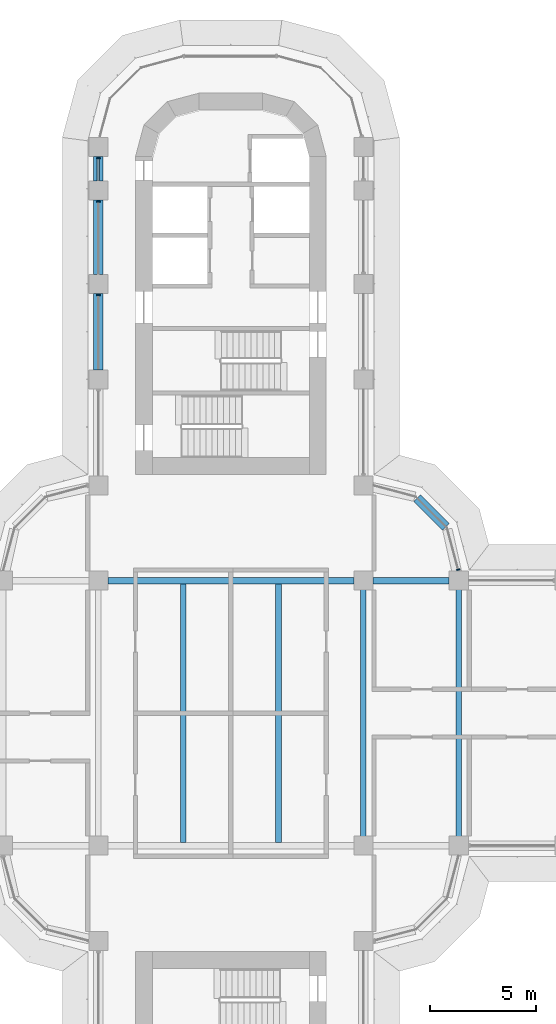
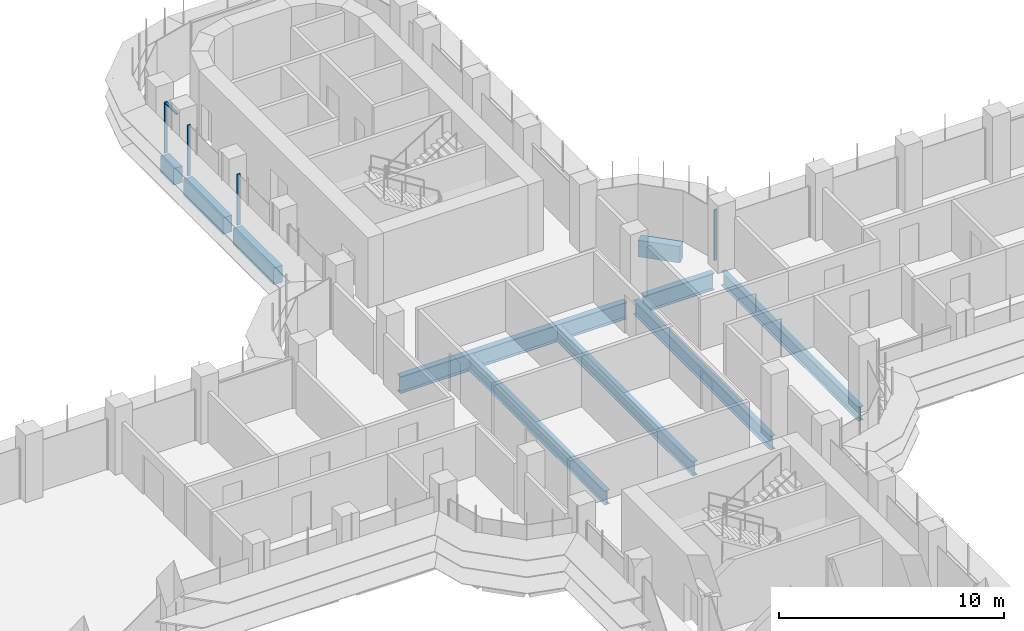
# One storey, part 7 of 22: 10 beams, 5 members, 2 elements without a shape of their own.
"""IFC4 building model written with IfcOpenShell, lengths in metres."""

from ifc_helpers import new_model, si_unit, direction, frame, origin, origin_2d, place, context, subcontext, project, spatial, polyline, rectangle, i_section, outline, extrude, source, transform, mapped, material, material_profile, profile_set, type_object, element, aggregate, save


model = new_model("IFC4")

# Units and contexts
model_context = context("Model", 3, precision=1e-05, world=origin(), true_north=direction((0.0, 1.0)))
body_context = subcontext(model_context, "Body", "Model", "MODEL_VIEW")
ifc_project = project(units=[si_unit("LENGTHUNIT", "METRE"), si_unit("AREAUNIT", "SQUARE_METRE"), si_unit("VOLUMEUNIT", "CUBIC_METRE"), si_unit("PLANEANGLEUNIT", "RADIAN"), si_unit("MASSUNIT", "GRAM", prefix="KILO")], contexts=[model_context])

# Site, building, storey
site_placement = place(None, origin())
site = spatial("IfcSite", under=ifc_project, at=site_placement, CompositionType="ELEMENT")
building_placement = place(site_placement, origin())
building = spatial("IfcBuilding", under=site, at=building_placement, Name="Zarbagh Exchange Tower", CompositionType="ELEMENT")
storey_placement = place(building_placement, frame((0.0, 0.0, 109.39990234375)))
storey = spatial("IfcBuildingStorey", under=building, at=storey_placement, Name="L25", CompositionType="ELEMENT", Elevation=109.39990234375)

# Beams
ifc_material_1 = material(Name="Steel ASTM A992 Gr 50", Category="steel")
ifc_material_profile_1 = material_profile(ifc_material_1, i_section(OverallWidth=0.2666015625, OverallDepth=0.7568359375, WebThickness=0.013916015625, FlangeThickness=0.019287109375, at=origin_2d()), Name="W30X108")
ifc_profile_set_1 = profile_set([ifc_material_profile_1], Name="Steel ASTM A992 Gr 50")
beam_type_1 = type_object("IfcBeamType", Name="Floor beam W30X108", PredefinedType="BEAM", material=ifc_profile_set_1)
for number, where, z_axis, x_axis, name in (
    (1, (-2.25, -6.09765625, -0.5283203125), (0.0, 1.0, 0.0), (-1.0, 0.0, 0.0), "Steel floor beam"),
    (2, (2.25, -6.09765625, -0.5283203125), (0.0, 1.0, 0.0), (-1.0, 0.0, 0.0), "Steel floor beam"),
    (3, (6.25, -6.09765625, -0.5283203125), (0.0, 1.0, 0.0), (-1.0, 0.0, 0.0), "Steel floor beam"),
    (4, (10.75, -6.09765625, -0.5283203125), (0.0, 1.0, 0.0), (-1.0, 0.0, 0.0), "Steel floor beam"),
):
    element("IfcBeam", number, at=place(storey_placement, frame(where, z_axis=z_axis, x_axis=x_axis)), inside=storey, type_object=beam_type_1, Name=name, PredefinedType="BEAM", context=body_context, shape_type="SweptSolid", body=[
        extrude(i_section(OverallWidth=0.2666015625, OverallDepth=0.7568359375, WebThickness=0.013916015625, FlangeThickness=0.019287109375, at=origin_2d()), origin(), (0.0, 0.0, 1.0), 12.1953125),
    ])
ifc_material_profile_2 = material_profile(ifc_material_1, i_section(OverallWidth=0.3046875, OverallDepth=0.911865234375, WebThickness=0.015869140625, FlangeThickness=0.02392578125, at=origin_2d()), Name="W36X150")
ifc_profile_set_2 = profile_set([ifc_material_profile_2], Name="Steel ASTM A992 Gr 50")
beam_type_2 = type_object("IfcBeamType", Name="Floor girder W36X150", PredefinedType="BEAM", material=ifc_profile_set_2)
beam_1_placement = place(storey_placement, frame((-5.800048828125, 6.25, -0.605712890625), z_axis=(1.0, 0.0, 0.0), x_axis=(0.0, 1.0, 0.0)))
element("IfcBeam", 5, at=beam_1_placement, inside=storey, type_object=beam_type_2, Name="Steel girder", PredefinedType="BEAM", context=body_context, shape_type="SweptSolid", body=[
    extrude(i_section(OverallWidth=0.3046875, OverallDepth=0.911865234375, WebThickness=0.015869140625, FlangeThickness=0.02392578125, at=origin_2d()), origin(), (0.0, 0.0, 1.0), 11.60009765625),
])
beam_2_placement = place(storey_placement, frame((6.699951171875, 6.25, -0.605712890625), z_axis=(1.0, 0.0, 0.0), x_axis=(0.0, 1.0, 0.0)))
element("IfcBeam", 6, at=beam_2_placement, inside=storey, type_object=beam_type_2, Name="Steel girder", PredefinedType="BEAM", context=body_context, shape_type="SweptSolid", body=[
    extrude(i_section(OverallWidth=0.3046875, OverallDepth=0.911865234375, WebThickness=0.015869140625, FlangeThickness=0.02392578125, at=origin_2d()), origin(), (0.0, 0.0, 1.0), 3.60009765625),
])
ifc_material_2 = material(Name="Concrete C60/75", Category="concrete")
ifc_material_profile_3 = material_profile(ifc_material_2, rectangle(XDim=0.449951171875, YDim=0.89990234375, at=origin_2d()), Name="RC spandrel beam 450 x 900 C60/75")
ifc_profile_set_3 = profile_set([ifc_material_profile_3], Name="Concrete C60/75")
beam_type_3 = type_object("IfcBeamType", Name="RC spandrel beam 450 x 900 C60/75", PredefinedType="SPANDREL", material=ifc_profile_set_3)
beam_3_placement = place(storey_placement, frame((-6.25, 16.199951171875, -0.599853515625), z_axis=(0.0, 1.0, 0.0), x_axis=(-1.0, 0.0, 0.0)))
element("IfcBeam", 7, at=beam_3_placement, inside=storey, type_object=beam_type_3, Name="RC spandrel beam", PredefinedType="SPANDREL", context=body_context, shape_type="SweptSolid", body=[
    extrude(rectangle(XDim=0.449951171875, YDim=0.89990234375, at=origin_2d()), origin(), (0.0, 0.0, 1.0), 3.60009765625),
])
beam_4_placement = place(storey_placement, frame((-6.25, 20.699951171875, -0.599853515625), z_axis=(0.0, 1.0, 0.0), x_axis=(-1.0, 0.0, 0.0)))
element("IfcBeam", 8, at=beam_4_placement, inside=storey, type_object=beam_type_3, Name="RC spandrel beam", PredefinedType="SPANDREL", context=body_context, shape_type="SweptSolid", body=[
    extrude(rectangle(XDim=0.449951171875, YDim=0.89990234375, at=origin_2d()), origin(), (0.0, 0.0, 1.0), 3.5),
])
beam_5_placement = place(storey_placement, frame((-6.25, 25.10009765625, -0.599853515625), z_axis=(0.0, 1.0, 0.0), x_axis=(-1.0, 0.0, 0.0)))
element("IfcBeam", 9, at=beam_5_placement, inside=storey, type_object=beam_type_3, Name="RC spandrel beam", PredefinedType="SPANDREL", context=body_context, shape_type="SweptSolid", body=[
    extrude(rectangle(XDim=0.449951171875, YDim=0.89990234375, at=origin_2d()), origin(), (0.0, 0.0, 1.0), 1.14990234375),
])
beam_6_placement = place(storey_placement, frame((8.78759765625, 10.15234375, -0.599853515625), z_axis=(0.707106781187, -0.707106781187, 0.0), x_axis=(0.707106781187, 0.707106781187, 0.0)))
element("IfcBeam", 10, at=beam_6_placement, inside=storey, type_object=beam_type_3, Name="RC spandrel beam", PredefinedType="SPANDREL", context=body_context, shape_type="SweptSolid", body=[
    extrude(rectangle(XDim=0.449951171875, YDim=0.89990234375, at=origin_2d()), origin(), (0.0, 0.0, 1.0), 1.929931640625),
])

# Curtain wall, member
ifc_material_3 = material(Name="Anodised aluminium frame and glazing", Category="aluminium")
curtain_wall_type = type_object("IfcCurtainWallType", Name="CWA Ribbon glazing, lower zones", PredefinedType="NOTDEFINED", material=ifc_material_3)
curtain_wall_1_placement = place(storey_placement, origin())
curtain_wall_1 = element("IfcCurtainWall", 11, at=curtain_wall_1_placement, inside=storey, type_object=curtain_wall_type, Name="CWA17 curtain wall", PredefinedType="NOTDEFINED")
ifc_material_4 = material(Name="Anodised aluminium frame", Category="aluminium")
member_type_1 = type_object("IfcMemberType", Name="MUA Mullion, anodised aluminium frame", PredefinedType="MULLION", material=ifc_material_4)
shared_shape_1 = source(origin(), body_context, "Body", "SweptSolid", [
    extrude(outline(polyline([(0.0, -0.080078125), (0.06005859375, -0.080078125), (0.06005859375, 0.080078125), (0.0, 0.080078125), (0.0, -0.080078125)])), origin(), (0.0, 0.0, 1.0), 2.75),
])
placement = place(storey_placement, origin())
member_1 = element("IfcMember", 12, at=placement, type_object=member_type_1, Name="CWA17 mullion 1.1", PredefinedType="MULLION", context=body_context, shape_type="MappedRepresentation", body=[
    mapped(shared_shape_1, transform((10.735107421875, 6.739990234375, 0.0), x_axis=(-0.258824779902, 0.965924289636, 0.0), y_axis=(-0.965924289636, -0.258824779902, 0.0), z_axis=(0.0, 0.0, 1.0))),
])
aggregate(curtain_wall_1, [member_1])

# Curtain wall, members
curtain_wall_2_placement = place(storey_placement, origin())
curtain_wall_2 = element("IfcCurtainWall", 13, at=curtain_wall_2_placement, inside=storey, type_object=curtain_wall_type, Name="CWA56 curtain wall", PredefinedType="NOTDEFINED")
member_2 = element("IfcMember", 14, at=placement, type_object=member_type_1, Name="CWA56 mullion 1.1", PredefinedType="MULLION", context=body_context, shape_type="MappedRepresentation", body=[
    mapped(shared_shape_1, transform((-6.25, 26.2099609375, 0.0), x_axis=(0.0, -1.0, 0.0), y_axis=(1.0, 0.0, 0.0), z_axis=(0.0, 0.0, 1.0))),
])
member_3 = element("IfcMember", 15, at=placement, type_object=member_type_1, Name="CWA56 mullion 2.1", PredefinedType="MULLION", context=body_context, shape_type="MappedRepresentation", body=[
    mapped(shared_shape_1, transform((-6.25, 24.159912109375, 0.0), x_axis=(0.0, -1.0, 0.0), y_axis=(1.0, 0.0, 0.0), z_axis=(0.0, 0.0, 1.0))),
])
member_4 = element("IfcMember", 16, at=placement, type_object=member_type_1, Name="CWA56 mullion 3.1", PredefinedType="MULLION", context=body_context, shape_type="MappedRepresentation", body=[
    mapped(shared_shape_1, transform((-6.25, 19.760009765625, 0.0), x_axis=(0.0, -1.0, 0.0), y_axis=(1.0, 0.0, 0.0), z_axis=(0.0, 0.0, 1.0))),
])
member_type_2 = type_object("IfcMemberType", Name="TRA Transom, anodised aluminium frame", PredefinedType="USERDEFINED", material=ifc_material_4)
shared_shape_2 = source(origin(), body_context, "Body", "SweptSolid", [
    extrude(outline(polyline([(-0.06005859375, -0.06005859375), (0.0, -0.06005859375), (0.0, 0.06005859375), (-0.06005859375, 0.06005859375), (-0.06005859375, -0.06005859375)])), origin(), (0.0, 0.0, 1.0), 1.010009765625),
])
member_5 = element("IfcMember", 17, at=placement, type_object=member_type_2, Name="CWA56 transom 1.1", ObjectType="TRANSOM", PredefinedType="USERDEFINED", context=body_context, shape_type="MappedRepresentation", body=[
    mapped(shared_shape_2, transform((-6.25, 26.14990234375, 2.75), x_axis=(0.0, 0.0, 1.0), y_axis=(-1.0, 0.0, 0.0), z_axis=(0.0, -1.0, 0.0))),
])
aggregate(curtain_wall_2, [member_2, member_5, member_3, member_4])

save(model, "model.ifc")
